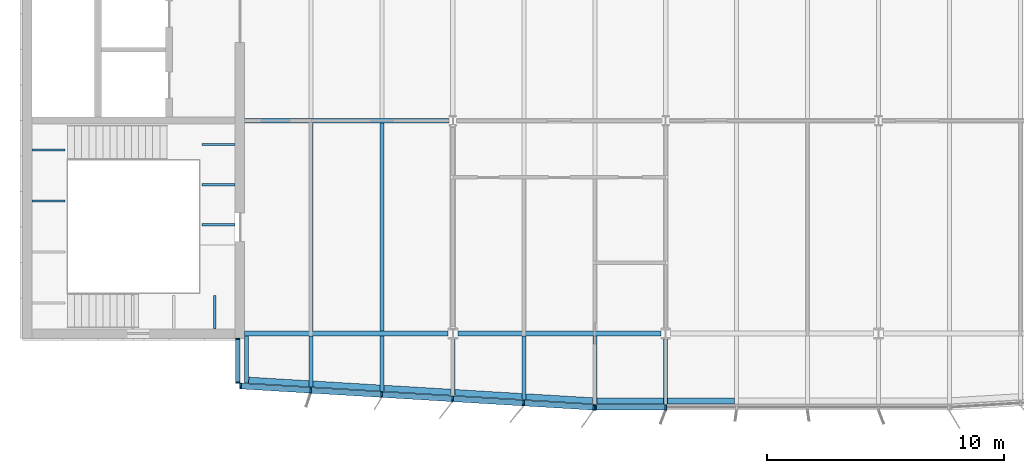
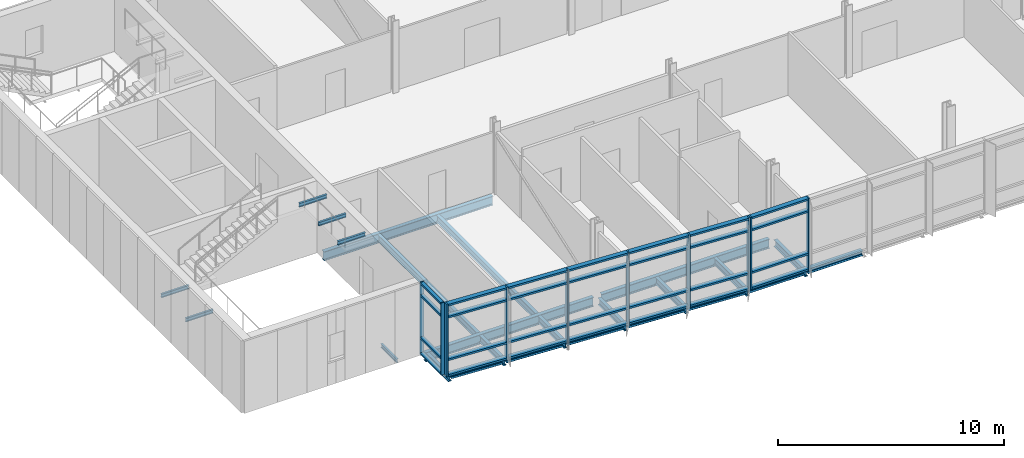
# One storey, part 2 of 18: 38 members, 25 beams, 3 elements without a shape of their own.
"""IFC4 building model written with IfcOpenShell, lengths in metres."""

from ifc_helpers import new_model, si_unit, direction, frame, origin, origin_2d, place, context, subcontext, project, spatial, rectangle, i_section, extrude, material, material_profile, profile_set, type_object, element, aggregate, save


model = new_model("IFC4")

# Units and contexts
model_context = context("Model", 3, precision=1e-05, world=origin(), true_north=direction((0.0, 1.0)))
body_context = subcontext(model_context, "Body", "Model", "MODEL_VIEW")
ifc_project = project(units=[si_unit("LENGTHUNIT", "METRE"), si_unit("AREAUNIT", "SQUARE_METRE"), si_unit("VOLUMEUNIT", "CUBIC_METRE"), si_unit("PLANEANGLEUNIT", "RADIAN"), si_unit("MASSUNIT", "GRAM", prefix="KILO")], contexts=[model_context])

# Site, building, storey
site_placement = place(None, origin())
site = spatial("IfcSite", under=ifc_project, at=site_placement, CompositionType="ELEMENT")
building_placement = place(site_placement, origin())
building = spatial("IfcBuilding", under=site, at=building_placement, Name="Azimuth Sports and Learning Centre", CompositionType="ELEMENT")
storey_placement = place(building_placement, frame((0.0, 0.0, 55.800048828125)))
storey = spatial("IfcBuildingStorey", under=building, at=storey_placement, Name="L12", CompositionType="ELEMENT", Elevation=55.800048828125)

# Beams
ifc_material_1 = material(Name="Steel S355", Category="steel")
ifc_material_profile_1 = material_profile(ifc_material_1, i_section(OverallWidth=0.10009765625, OverallDepth=0.199951171875, WebThickness=0.005615234375, FlangeThickness=0.008544921875, FilletRadius=0.011962890625, at=origin_2d()), Name="IPE 200")
ifc_profile_set_1 = profile_set([ifc_material_profile_1], Name="Steel S355")
beam_type_1 = type_object("IfcBeamType", Name="Beam IPE 200", PredefinedType="BEAM", material=ifc_profile_set_1)
for number, where, z_axis, x_axis, name in (
    (1, (61.9267578125, 90.199951171875, -0.300048828125), (0.0, 1.0, 0.0), (-1.0, 0.0, 0.0), "Landing bracket W1 L12 121"),
    (2, (54.199951171875, 95.603759765625, 1.349853515625), (1.0, 0.0, 0.0), (0.0, 1.0, 0.0), "Landing bracket W1 L12 124"),
    (3, (54.199951171875, 97.76123046875, 1.349853515625), (1.0, 0.0, 0.0), (0.0, 1.0, 0.0), "Landing bracket W1 L12 125"),
    (4, (62.800048828125, 94.598388671875, 3.599853515625), (-1.0, 0.0, 0.0), (0.0, -1.0, 0.0), "Landing bracket W1 L12 126"),
    (5, (62.800048828125, 96.294921875, 3.599853515625), (-1.0, 0.0, 0.0), (0.0, -1.0, 0.0), "Landing bracket W1 L12 127"),
    (6, (62.800048828125, 97.99169921875, 3.599853515625), (-1.0, 0.0, 0.0), (0.0, -1.0, 0.0), "Landing bracket W1 L12 128"),
):
    element("IfcBeam", number, at=place(storey_placement, frame(where, z_axis=z_axis, x_axis=x_axis)), inside=storey, type_object=beam_type_1, Name=name, PredefinedType="BEAM", context=body_context, shape_type="SweptSolid", body=[
        extrude(i_section(OverallWidth=0.10009765625, OverallDepth=0.199951171875, WebThickness=0.005615234375, FlangeThickness=0.008544921875, FilletRadius=0.011962890625, at=origin_2d()), origin(), (0.0, 0.0, 1.0), 1.41015625),
    ])
ifc_material_2 = material(Name="Steel S355", Category="steel")
ifc_material_profile_2 = material_profile(ifc_material_2, i_section(OverallWidth=0.199951171875, OverallDepth=0.5, WebThickness=0.01025390625, FlangeThickness=0.01611328125, FilletRadius=0.02099609375, at=origin_2d()), Name="IPE 500")
ifc_profile_set_2 = profile_set([ifc_material_profile_2], Name="Steel S355")
beam_type_2 = type_object("IfcBeamType", Name="Beam IPE 500", PredefinedType="BEAM", material=ifc_profile_set_2)
beam_1_placement = place(storey_placement, frame((63.199951171875, 90.0, -0.380126953125), z_axis=(1.0, 0.0, 0.0), x_axis=(0.0, 1.0, 0.0)))
element("IfcBeam", 7, at=beam_1_placement, inside=storey, type_object=beam_type_2, Name="Tower girder L12", PredefinedType="BEAM", context=body_context, shape_type="SweptSolid", body=[
    extrude(i_section(OverallWidth=0.199951171875, OverallDepth=0.5, WebThickness=0.01025390625, FlangeThickness=0.01611328125, FilletRadius=0.02099609375, at=origin_2d()), origin(), (0.0, 0.0, 1.0), 8.591064453125),
])
beam_2_placement = place(storey_placement, frame((72.208984375, 90.0, -0.380126953125), z_axis=(1.0, 0.0, 0.0), x_axis=(0.0, 1.0, 0.0)))
element("IfcBeam", 8, at=beam_2_placement, inside=storey, type_object=beam_type_2, Name="Tower girder L12", PredefinedType="BEAM", context=body_context, shape_type="SweptSolid", body=[
    extrude(i_section(OverallWidth=0.199951171875, OverallDepth=0.5, WebThickness=0.01025390625, FlangeThickness=0.01611328125, FilletRadius=0.02099609375, at=origin_2d()), origin(), (0.0, 0.0, 1.0), 8.58203125),
])
beam_3_placement = place(storey_placement, frame((63.199951171875, 99.0, -0.380126953125), z_axis=(1.0, 0.0, 0.0), x_axis=(0.0, 1.0, 0.0)))
element("IfcBeam", 9, at=beam_3_placement, inside=storey, type_object=beam_type_2, Name="Tower girder L12", PredefinedType="BEAM", context=body_context, shape_type="SweptSolid", body=[
    extrude(i_section(OverallWidth=0.199951171875, OverallDepth=0.5, WebThickness=0.01025390625, FlangeThickness=0.01611328125, FilletRadius=0.02099609375, at=origin_2d()), origin(), (0.0, 0.0, 1.0), 8.646484375),
])
ifc_material_3 = material(Name="Steel S355", Category="steel")
ifc_material_profile_3 = material_profile(ifc_material_3, i_section(OverallWidth=0.169921875, OverallDepth=0.360107421875, WebThickness=0.008056640625, FlangeThickness=0.0126953125, FilletRadius=0.01806640625, at=origin_2d()), Name="IPE 360")
ifc_profile_set_3 = profile_set([ifc_material_profile_3], Name="Steel S355")
beam_type_3 = type_object("IfcBeamType", Name="Cantilever stub IPE 360", PredefinedType="JOIST", material=ifc_profile_set_3)
beam_4_placement = place(storey_placement, frame((63.284912109375, 89.89990234375, -0.31005859375), z_axis=(0.0, -1.0, 0.0), x_axis=(1.0, 0.0, 0.0)))
element("IfcBeam", 10, at=beam_4_placement, inside=storey, type_object=beam_type_3, Name="Tower cantilever stub", PredefinedType="JOIST", context=body_context, shape_type="SweptSolid", body=[
    extrude(i_section(OverallWidth=0.169921875, OverallDepth=0.360107421875, WebThickness=0.008056640625, FlangeThickness=0.0126953125, FilletRadius=0.01806640625, at=origin_2d()), origin(), (0.0, 0.0, 1.0), 1.9970703125),
])
beam_5_placement = place(storey_placement, frame((66.0, 89.89990234375, -0.31005859375), z_axis=(0.0, -1.0, 0.0), x_axis=(1.0, 0.0, 0.0)))
element("IfcBeam", 11, at=beam_5_placement, inside=storey, type_object=beam_type_3, Name="Tower cantilever stub", PredefinedType="JOIST", context=body_context, shape_type="SweptSolid", body=[
    extrude(i_section(OverallWidth=0.169921875, OverallDepth=0.360107421875, WebThickness=0.008056640625, FlangeThickness=0.0126953125, FilletRadius=0.01806640625, at=origin_2d()), origin(), (0.0, 0.0, 1.0), 2.159912109375),
])
beam_6_placement = place(storey_placement, frame((69.0, 89.89990234375, -0.31005859375), z_axis=(0.0, -1.0, 0.0), x_axis=(1.0, 0.0, 0.0)))
element("IfcBeam", 12, at=beam_6_placement, inside=storey, type_object=beam_type_3, Name="Tower cantilever stub", PredefinedType="JOIST", context=body_context, shape_type="SweptSolid", body=[
    extrude(i_section(OverallWidth=0.169921875, OverallDepth=0.360107421875, WebThickness=0.008056640625, FlangeThickness=0.0126953125, FilletRadius=0.01806640625, at=origin_2d()), origin(), (0.0, 0.0, 1.0), 2.33984375),
])
beam_7_placement = place(storey_placement, frame((72.0, 89.7724609375, -0.31005859375), z_axis=(0.0, -1.0, 0.0), x_axis=(1.0, 0.0, 0.0)))
element("IfcBeam", 13, at=beam_7_placement, inside=storey, type_object=beam_type_3, Name="Tower cantilever stub", PredefinedType="JOIST", context=body_context, shape_type="SweptSolid", body=[
    extrude(i_section(OverallWidth=0.169921875, OverallDepth=0.360107421875, WebThickness=0.008056640625, FlangeThickness=0.0126953125, FilletRadius=0.01806640625, at=origin_2d()), origin(), (0.0, 0.0, 1.0), 2.392578125),
])
beam_8_placement = place(storey_placement, frame((75.0, 89.89990234375, -0.31005859375), z_axis=(0.0, -1.0, 0.0), x_axis=(1.0, 0.0, 0.0)))
element("IfcBeam", 14, at=beam_8_placement, inside=storey, type_object=beam_type_3, Name="Tower cantilever stub", PredefinedType="JOIST", context=body_context, shape_type="SweptSolid", body=[
    extrude(i_section(OverallWidth=0.169921875, OverallDepth=0.360107421875, WebThickness=0.008056640625, FlangeThickness=0.0126953125, FilletRadius=0.01806640625, at=origin_2d()), origin(), (0.0, 0.0, 1.0), 2.699951171875),
])
beam_9_placement = place(storey_placement, frame((78.0, 89.89990234375, -0.31005859375), z_axis=(0.0, -1.0, 0.0), x_axis=(1.0, 0.0, 0.0)))
element("IfcBeam", 15, at=beam_9_placement, inside=storey, type_object=beam_type_3, Name="Tower cantilever stub", PredefinedType="JOIST", context=body_context, shape_type="SweptSolid", body=[
    extrude(i_section(OverallWidth=0.169921875, OverallDepth=0.360107421875, WebThickness=0.008056640625, FlangeThickness=0.0126953125, FilletRadius=0.01806640625, at=origin_2d()), origin(), (0.0, 0.0, 1.0), 2.8798828125),
])
beam_10_placement = place(storey_placement, frame((81.0, 89.7724609375, -0.31005859375), z_axis=(0.0, -1.0, 0.0), x_axis=(1.0, 0.0, 0.0)))
element("IfcBeam", 16, at=beam_10_placement, inside=storey, type_object=beam_type_3, Name="Tower cantilever stub", PredefinedType="JOIST", context=body_context, shape_type="SweptSolid", body=[
    extrude(i_section(OverallWidth=0.169921875, OverallDepth=0.360107421875, WebThickness=0.008056640625, FlangeThickness=0.0126953125, FilletRadius=0.01806640625, at=origin_2d()), origin(), (0.0, 0.0, 1.0), 2.75244140625),
])
ifc_material_4 = material(Name="Steel S355", Category="steel")
ifc_material_profile_4 = material_profile(ifc_material_4, i_section(OverallWidth=0.260009765625, OverallDepth=0.25, WebThickness=0.007568359375, FlangeThickness=0.012451171875, FilletRadius=0.02392578125, at=origin_2d()), Name="HEA 260")
ifc_profile_set_4 = profile_set([ifc_material_profile_4], Name="Steel S355")
beam_type_4 = type_object("IfcBeamType", Name="Edge beam HEA 260", PredefinedType="SPANDREL", material=ifc_profile_set_4)
beam_11_placement = place(storey_placement, frame((63.3701171875, 88.02783203125, -0.255126953125), z_axis=(0.998201638043, -0.05994572385, 0.0), x_axis=(0.05994572385, 0.998201638043, 0.0)))
element("IfcBeam", 17, at=beam_11_placement, inside=storey, type_object=beam_type_4, Name="Tower edge beam", PredefinedType="SPANDREL", context=body_context, shape_type="SweptSolid", body=[
    extrude(i_section(OverallWidth=0.260009765625, OverallDepth=0.25, WebThickness=0.007568359375, FlangeThickness=0.012451171875, FilletRadius=0.02392578125, at=origin_2d()), origin(), (0.0, 0.0, 1.0), 2.549560546875),
])
for number, where, z_axis, x_axis, name in (
    (18, (66.0849609375, 87.864990234375, -0.255126953125), (0.998202373506, -0.059933475842, 0.0), (0.059933475842, 0.998202373506, 0.0), "Tower edge beam"),
    (19, (69.0849609375, 87.684814453125, -0.255126953125), (0.998207521518, -0.059847673176, 0.0), (0.059847673176, 0.998207521518, 0.0), "Tower edge beam"),
    (20, (72.0849609375, 87.5048828125, -0.255126953125), (0.998207521518, -0.059847673176, 0.0), (0.059847673176, 0.998207521518, 0.0), "Tower edge beam"),
    (21, (75.0849609375, 87.324951171875, -0.255126953125), (0.998202373506, -0.059933475842, 0.0), (0.059933475842, 0.998202373506, 0.0), "Tower edge beam"),
):
    element("IfcBeam", number, at=place(storey_placement, frame(where, z_axis=z_axis, x_axis=x_axis)), inside=storey, type_object=beam_type_4, Name=name, PredefinedType="SPANDREL", context=body_context, shape_type="SweptSolid", body=[
        extrude(i_section(OverallWidth=0.260009765625, OverallDepth=0.25, WebThickness=0.007568359375, FlangeThickness=0.012451171875, FilletRadius=0.02392578125, at=origin_2d()), origin(), (0.0, 0.0, 1.0), 2.835205078125),
    ])
for number, where, z_axis, x_axis, name in (
    (22, (78.0849609375, 87.14990234375, -0.255126953125), (1.0, 0.0, 0.0), (0.0, 1.0, 0.0), "Tower edge beam"),
    (23, (81.0849609375, 87.14990234375, -0.255126953125), (1.0, 0.0, 0.0), (0.0, 1.0, 0.0), "Tower edge beam"),
):
    element("IfcBeam", number, at=place(storey_placement, frame(where, z_axis=z_axis, x_axis=x_axis)), inside=storey, type_object=beam_type_4, Name=name, PredefinedType="SPANDREL", context=body_context, shape_type="SweptSolid", body=[
        extrude(i_section(OverallWidth=0.260009765625, OverallDepth=0.25, WebThickness=0.007568359375, FlangeThickness=0.012451171875, FilletRadius=0.02392578125, at=origin_2d()), origin(), (0.0, 0.0, 1.0), 2.830078125),
    ])
ifc_material_5 = material(Name="Steel S355", Category="steel")
ifc_material_profile_5 = material_profile(ifc_material_5, i_section(OverallWidth=0.169921875, OverallDepth=0.360107421875, WebThickness=0.008056640625, FlangeThickness=0.0126953125, FilletRadius=0.01806640625, at=origin_2d()), Name="IPE 360")
ifc_profile_set_5 = profile_set([ifc_material_profile_5], Name="Steel S355")
beam_type_5 = type_object("IfcBeamType", Name="Joist IPE 360", PredefinedType="JOIST", material=ifc_profile_set_5)
for number, where, z_axis, x_axis, name in (
    (24, (66.0, 90.10009765625, -0.31005859375), (0.0, 1.0, 0.0), (-1.0, 0.0, 0.0), "Tower joist"),
    (25, (69.0, 90.10009765625, -0.31005859375), (0.0, 1.0, 0.0), (-1.0, 0.0, 0.0), "Tower joist"),
):
    element("IfcBeam", number, at=place(storey_placement, frame(where, z_axis=z_axis, x_axis=x_axis)), inside=storey, type_object=beam_type_5, Name=name, PredefinedType="JOIST", context=body_context, shape_type="SweptSolid", body=[
        extrude(i_section(OverallWidth=0.169921875, OverallDepth=0.360107421875, WebThickness=0.008056640625, FlangeThickness=0.0126953125, FilletRadius=0.01806640625, at=origin_2d()), origin(), (0.0, 0.0, 1.0), 8.7998046875),
    ])

# Curtain wall, members
ifc_material_6 = material(Name="Aluminium and glass", Category="aluminium")
curtain_wall_type_1 = type_object("IfcCurtainWallType", Name="Curtain wall tower return 180", PredefinedType="NOTDEFINED", material=ifc_material_6)
curtain_wall_1_placement = place(storey_placement, origin())
curtain_wall_1 = element("IfcCurtainWall", 26, at=curtain_wall_1_placement, inside=storey, type_object=curtain_wall_type_1, Name="Curtain wall CW12-001", PredefinedType="NOTDEFINED")
ifc_material_7 = material(Name="Aluminium", Category="aluminium")
ifc_material_profile_6 = material_profile(ifc_material_7, rectangle(XDim=0.179931640625, YDim=0.06005859375, at=origin_2d()), Name="Mullion 60x180")
ifc_profile_set_6 = profile_set([ifc_material_profile_6], Name="Aluminium")
member_type_1 = type_object("IfcMemberType", Name="Mullion 60x180", PredefinedType="MULLION", material=ifc_profile_set_6)
member_1_placement = place(storey_placement, frame((62.909912109375, 89.77001953125, 0.0), z_axis=(0.0, 0.0, 1.0), x_axis=(1.0, 0.0, 0.0)))
member_1 = element("IfcMember", 27, at=member_1_placement, type_object=member_type_1, Name="CW12-001 mullion 1", PredefinedType="MULLION", context=body_context, shape_type="SweptSolid", body=[
    extrude(rectangle(XDim=0.179931640625, YDim=0.06005859375, at=origin_2d()), origin(), (0.0, 0.0, 1.0), 3.89990234375),
])
member_2_placement = place(storey_placement, frame((62.909912109375, 87.929931640625, 0.0), z_axis=(0.0, 0.0, 1.0), x_axis=(1.0, 0.0, 0.0)))
member_2 = element("IfcMember", 28, at=member_2_placement, type_object=member_type_1, Name="CW12-001 mullion 2", PredefinedType="MULLION", context=body_context, shape_type="SweptSolid", body=[
    extrude(rectangle(XDim=0.179931640625, YDim=0.06005859375, at=origin_2d()), origin(), (0.0, 0.0, 1.0), 3.89990234375),
])

ifc_material_8 = material(Name="Aluminium and glass", Category="aluminium")
curtain_wall_type_2 = type_object("IfcCurtainWallType", Name="Curtain wall tower south 240", PredefinedType="NOTDEFINED", material=ifc_material_8)
curtain_wall_2_placement = place(storey_placement, origin())
curtain_wall_2 = element("IfcCurtainWall", 29, at=curtain_wall_2_placement, inside=storey, type_object=curtain_wall_type_2, Name="Curtain wall CW12-002", PredefinedType="NOTDEFINED")
ifc_material_9 = material(Name="Aluminium", Category="aluminium")
ifc_material_profile_7 = material_profile(ifc_material_9, rectangle(XDim=0.239990234375, YDim=0.070068359375, at=origin_2d()), Name="Mullion 70x240")
ifc_profile_set_7 = profile_set([ifc_material_profile_7], Name="Aluminium")
member_type_2 = type_object("IfcMemberType", Name="Mullion 70x240", PredefinedType="MULLION", material=ifc_profile_set_7)
member_3_placement = place(storey_placement, frame((63.02783203125, 87.778076171875, 0.0), z_axis=(0.0, 0.0, 1.0), x_axis=(0.059891991812, 0.998204863401, 0.0)))
member_3 = element("IfcMember", 30, at=member_3_placement, type_object=member_type_2, Name="CW12-002 mullion 1", PredefinedType="MULLION", context=body_context, shape_type="SweptSolid", body=[
    extrude(rectangle(XDim=0.239990234375, YDim=0.070068359375, at=origin_2d()), origin(), (0.0, 0.0, 1.0), 3.89990234375),
])
member_4_placement = place(storey_placement, frame((65.992919921875, 87.60009765625, 0.0), z_axis=(0.0, 0.0, 1.0), x_axis=(0.059891991812, 0.998204863401, 0.0)))
member_4 = element("IfcMember", 31, at=member_4_placement, type_object=member_type_2, Name="CW12-002 mullion 2", PredefinedType="MULLION", context=body_context, shape_type="SweptSolid", body=[
    extrude(rectangle(XDim=0.239990234375, YDim=0.070068359375, at=origin_2d()), origin(), (0.0, 0.0, 1.0), 3.89990234375),
])
member_5_placement = place(storey_placement, frame((68.992919921875, 87.420166015625, 0.0), z_axis=(0.0, 0.0, 1.0), x_axis=(0.059891991812, 0.998204863401, 0.0)))
member_5 = element("IfcMember", 32, at=member_5_placement, type_object=member_type_2, Name="CW12-002 mullion 3", PredefinedType="MULLION", context=body_context, shape_type="SweptSolid", body=[
    extrude(rectangle(XDim=0.239990234375, YDim=0.070068359375, at=origin_2d()), origin(), (0.0, 0.0, 1.0), 3.89990234375),
])
member_6_placement = place(storey_placement, frame((71.992919921875, 87.240234375, 0.0), z_axis=(0.0, 0.0, 1.0), x_axis=(0.059891991812, 0.998204863401, 0.0)))
member_6 = element("IfcMember", 33, at=member_6_placement, type_object=member_type_2, Name="CW12-002 mullion 4", PredefinedType="MULLION", context=body_context, shape_type="SweptSolid", body=[
    extrude(rectangle(XDim=0.239990234375, YDim=0.070068359375, at=origin_2d()), origin(), (0.0, 0.0, 1.0), 3.89990234375),
])
member_7_placement = place(storey_placement, frame((74.992919921875, 87.060302734375, 0.0), z_axis=(0.0, 0.0, 1.0), x_axis=(0.059891991812, 0.998204863401, 0.0)))
member_7 = element("IfcMember", 34, at=member_7_placement, type_object=member_type_2, Name="CW12-002 mullion 5", PredefinedType="MULLION", context=body_context, shape_type="SweptSolid", body=[
    extrude(rectangle(XDim=0.239990234375, YDim=0.070068359375, at=origin_2d()), origin(), (0.0, 0.0, 1.0), 3.89990234375),
])
member_8_placement = place(storey_placement, frame((77.957763671875, 86.88232421875, 0.0), z_axis=(0.0, 0.0, 1.0), x_axis=(0.059891991812, 0.998204863401, 0.0)))
member_8 = element("IfcMember", 35, at=member_8_placement, type_object=member_type_2, Name="CW12-002 mullion 6", PredefinedType="MULLION", context=body_context, shape_type="SweptSolid", body=[
    extrude(rectangle(XDim=0.239990234375, YDim=0.070068359375, at=origin_2d()), origin(), (0.0, 0.0, 1.0), 3.89990234375),
])

curtain_wall_3_placement = place(storey_placement, origin())
curtain_wall_3 = element("IfcCurtainWall", 36, at=curtain_wall_3_placement, inside=storey, type_object=curtain_wall_type_2, Name="Curtain wall CW12-003", PredefinedType="NOTDEFINED")
member_9_placement = place(storey_placement, frame((78.02783203125, 86.8798828125, 0.0), z_axis=(0.0, 0.0, 1.0), x_axis=(0.0, 1.0, 0.0)))
member_9 = element("IfcMember", 37, at=member_9_placement, type_object=member_type_2, Name="CW12-003 mullion 1", PredefinedType="MULLION", context=body_context, shape_type="SweptSolid", body=[
    extrude(rectangle(XDim=0.239990234375, YDim=0.070068359375, at=origin_2d()), origin(), (0.0, 0.0, 1.0), 3.89990234375),
])
member_10_placement = place(storey_placement, frame((81.0, 86.8798828125, 0.0), z_axis=(0.0, 0.0, 1.0), x_axis=(0.0, 1.0, 0.0)))
member_10 = element("IfcMember", 38, at=member_10_placement, type_object=member_type_2, Name="CW12-003 mullion 2", PredefinedType="MULLION", context=body_context, shape_type="SweptSolid", body=[
    extrude(rectangle(XDim=0.239990234375, YDim=0.070068359375, at=origin_2d()), origin(), (0.0, 0.0, 1.0), 3.89990234375),
])

# Member
ifc_material_10 = material(Name="Aluminium", Category="aluminium")
ifc_material_profile_8 = material_profile(ifc_material_10, rectangle(XDim=0.179931640625, YDim=0.10009765625, at=origin_2d()), Name="Transom 100x180")
ifc_profile_set_8 = profile_set([ifc_material_profile_8], Name="Aluminium")
member_type_3 = type_object("IfcMemberType", Name="Transom 100x180", PredefinedType="USERDEFINED", material=ifc_profile_set_8)
member_11_placement = place(storey_placement, frame((62.909912109375, 89.739990234375, 0.050048828125), z_axis=(0.0, -1.0, 0.0), x_axis=(1.0, 0.0, 0.0)))
member_11 = element("IfcMember", 39, at=member_11_placement, type_object=member_type_3, Name="CW12-001 transom 1.1", ObjectType="TRANSOM", PredefinedType="USERDEFINED", context=body_context, shape_type="SweptSolid", body=[
    extrude(rectangle(XDim=0.179931640625, YDim=0.10009765625, at=origin_2d()), origin(), (0.0, 0.0, 1.0), 1.780029296875),
])

member_12_placement = place(storey_placement, frame((62.909912109375, 89.739990234375, 0.89990234375), z_axis=(0.0, -1.0, 0.0), x_axis=(1.0, 0.0, 0.0)))
member_12 = element("IfcMember", 40, at=member_12_placement, type_object=member_type_3, Name="CW12-001 transom 1.2", ObjectType="TRANSOM", PredefinedType="USERDEFINED", context=body_context, shape_type="SweptSolid", body=[
    extrude(rectangle(XDim=0.179931640625, YDim=0.10009765625, at=origin_2d()), origin(), (0.0, 0.0, 1.0), 1.780029296875),
])

member_13_placement = place(storey_placement, frame((62.909912109375, 89.739990234375, 3.199951171875), z_axis=(0.0, -1.0, 0.0), x_axis=(1.0, 0.0, 0.0)))
member_13 = element("IfcMember", 41, at=member_13_placement, type_object=member_type_3, Name="CW12-001 transom 1.3", ObjectType="TRANSOM", PredefinedType="USERDEFINED", context=body_context, shape_type="SweptSolid", body=[
    extrude(rectangle(XDim=0.179931640625, YDim=0.10009765625, at=origin_2d()), origin(), (0.0, 0.0, 1.0), 1.780029296875),
])

member_14_placement = place(storey_placement, frame((62.909912109375, 89.739990234375, 3.849853515625), z_axis=(0.0, -1.0, 0.0), x_axis=(1.0, 0.0, 0.0)))
member_14 = element("IfcMember", 42, at=member_14_placement, type_object=member_type_3, Name="CW12-001 transom 1.4", ObjectType="TRANSOM", PredefinedType="USERDEFINED", context=body_context, shape_type="SweptSolid", body=[
    extrude(rectangle(XDim=0.179931640625, YDim=0.10009765625, at=origin_2d()), origin(), (0.0, 0.0, 1.0), 1.780029296875),
])

aggregate(curtain_wall_1, [member_1, member_2, member_11, member_12, member_13, member_14])

ifc_material_11 = material(Name="Aluminium", Category="aluminium")
ifc_material_profile_9 = material_profile(ifc_material_11, rectangle(XDim=0.239990234375, YDim=0.10009765625, at=origin_2d()), Name="Transom 100x240")
ifc_profile_set_9 = profile_set([ifc_material_profile_9], Name="Aluminium")
member_type_4 = type_object("IfcMemberType", Name="Transom 100x240", PredefinedType="USERDEFINED", material=ifc_profile_set_9)
member_15_placement = place(storey_placement, frame((63.062744140625, 87.776123046875, 0.050048828125), z_axis=(0.998202227529, -0.059935907067, 0.0), x_axis=(0.059935907067, 0.998202227529, 0.0)))
member_15 = element("IfcMember", 43, at=member_15_placement, type_object=member_type_4, Name="CW12-002 transom 1.1", ObjectType="TRANSOM", PredefinedType="USERDEFINED", context=body_context, shape_type="SweptSolid", body=[
    extrude(rectangle(XDim=0.239990234375, YDim=0.10009765625, at=origin_2d()), origin(), (0.0, 0.0, 1.0), 2.900146484375),
])

member_16_placement = place(storey_placement, frame((63.062744140625, 87.776123046875, 0.89990234375), z_axis=(0.998202227529, -0.059935907067, 0.0), x_axis=(0.059935907067, 0.998202227529, 0.0)))
member_16 = element("IfcMember", 44, at=member_16_placement, type_object=member_type_4, Name="CW12-002 transom 1.2", ObjectType="TRANSOM", PredefinedType="USERDEFINED", context=body_context, shape_type="SweptSolid", body=[
    extrude(rectangle(XDim=0.239990234375, YDim=0.10009765625, at=origin_2d()), origin(), (0.0, 0.0, 1.0), 2.900146484375),
])

member_17_placement = place(storey_placement, frame((63.062744140625, 87.776123046875, 3.199951171875), z_axis=(0.998202227529, -0.059935907067, 0.0), x_axis=(0.059935907067, 0.998202227529, 0.0)))
member_17 = element("IfcMember", 45, at=member_17_placement, type_object=member_type_4, Name="CW12-002 transom 1.3", ObjectType="TRANSOM", PredefinedType="USERDEFINED", context=body_context, shape_type="SweptSolid", body=[
    extrude(rectangle(XDim=0.239990234375, YDim=0.10009765625, at=origin_2d()), origin(), (0.0, 0.0, 1.0), 2.900146484375),
])

member_18_placement = place(storey_placement, frame((63.062744140625, 87.776123046875, 3.849853515625), z_axis=(0.998202227529, -0.059935907067, 0.0), x_axis=(0.059935907067, 0.998202227529, 0.0)))
member_18 = element("IfcMember", 46, at=member_18_placement, type_object=member_type_4, Name="CW12-002 transom 1.4", ObjectType="TRANSOM", PredefinedType="USERDEFINED", context=body_context, shape_type="SweptSolid", body=[
    extrude(rectangle(XDim=0.239990234375, YDim=0.10009765625, at=origin_2d()), origin(), (0.0, 0.0, 1.0), 2.900146484375),
])

member_19_placement = place(storey_placement, frame((66.02783203125, 87.59814453125, 0.050048828125), z_axis=(0.998205143816, -0.059887318019, 0.0), x_axis=(0.059887318019, 0.998205143816, 0.0)))
member_19 = element("IfcMember", 47, at=member_19_placement, type_object=member_type_4, Name="CW12-002 transom 2.1", ObjectType="TRANSOM", PredefinedType="USERDEFINED", context=body_context, shape_type="SweptSolid", body=[
    extrude(rectangle(XDim=0.239990234375, YDim=0.10009765625, at=origin_2d()), origin(), (0.0, 0.0, 1.0), 2.935302734375),
])

member_20_placement = place(storey_placement, frame((66.02783203125, 87.59814453125, 0.89990234375), z_axis=(0.998205143816, -0.059887318019, 0.0), x_axis=(0.059887318019, 0.998205143816, 0.0)))
member_20 = element("IfcMember", 48, at=member_20_placement, type_object=member_type_4, Name="CW12-002 transom 2.2", ObjectType="TRANSOM", PredefinedType="USERDEFINED", context=body_context, shape_type="SweptSolid", body=[
    extrude(rectangle(XDim=0.239990234375, YDim=0.10009765625, at=origin_2d()), origin(), (0.0, 0.0, 1.0), 2.935302734375),
])

member_21_placement = place(storey_placement, frame((66.02783203125, 87.59814453125, 3.199951171875), z_axis=(0.998205143816, -0.059887318019, 0.0), x_axis=(0.059887318019, 0.998205143816, 0.0)))
member_21 = element("IfcMember", 49, at=member_21_placement, type_object=member_type_4, Name="CW12-002 transom 2.3", ObjectType="TRANSOM", PredefinedType="USERDEFINED", context=body_context, shape_type="SweptSolid", body=[
    extrude(rectangle(XDim=0.239990234375, YDim=0.10009765625, at=origin_2d()), origin(), (0.0, 0.0, 1.0), 2.935302734375),
])

member_22_placement = place(storey_placement, frame((66.02783203125, 87.59814453125, 3.849853515625), z_axis=(0.998205143816, -0.059887318019, 0.0), x_axis=(0.059887318019, 0.998205143816, 0.0)))
member_22 = element("IfcMember", 50, at=member_22_placement, type_object=member_type_4, Name="CW12-002 transom 2.4", ObjectType="TRANSOM", PredefinedType="USERDEFINED", context=body_context, shape_type="SweptSolid", body=[
    extrude(rectangle(XDim=0.239990234375, YDim=0.10009765625, at=origin_2d()), origin(), (0.0, 0.0, 1.0), 2.935302734375),
])

member_23_placement = place(storey_placement, frame((69.02783203125, 87.418212890625, 0.050048828125), z_axis=(0.998205143816, -0.059887318019, 0.0), x_axis=(0.059887318019, 0.998205143816, 0.0)))
member_23 = element("IfcMember", 51, at=member_23_placement, type_object=member_type_4, Name="CW12-002 transom 3.1", ObjectType="TRANSOM", PredefinedType="USERDEFINED", context=body_context, shape_type="SweptSolid", body=[
    extrude(rectangle(XDim=0.239990234375, YDim=0.10009765625, at=origin_2d()), origin(), (0.0, 0.0, 1.0), 2.935302734375),
])

member_24_placement = place(storey_placement, frame((69.02783203125, 87.418212890625, 0.89990234375), z_axis=(0.998205143816, -0.059887318019, 0.0), x_axis=(0.059887318019, 0.998205143816, 0.0)))
member_24 = element("IfcMember", 52, at=member_24_placement, type_object=member_type_4, Name="CW12-002 transom 3.2", ObjectType="TRANSOM", PredefinedType="USERDEFINED", context=body_context, shape_type="SweptSolid", body=[
    extrude(rectangle(XDim=0.239990234375, YDim=0.10009765625, at=origin_2d()), origin(), (0.0, 0.0, 1.0), 2.935302734375),
])

member_25_placement = place(storey_placement, frame((69.02783203125, 87.418212890625, 3.199951171875), z_axis=(0.998205143816, -0.059887318019, 0.0), x_axis=(0.059887318019, 0.998205143816, 0.0)))
member_25 = element("IfcMember", 53, at=member_25_placement, type_object=member_type_4, Name="CW12-002 transom 3.3", ObjectType="TRANSOM", PredefinedType="USERDEFINED", context=body_context, shape_type="SweptSolid", body=[
    extrude(rectangle(XDim=0.239990234375, YDim=0.10009765625, at=origin_2d()), origin(), (0.0, 0.0, 1.0), 2.935302734375),
])

member_26_placement = place(storey_placement, frame((69.02783203125, 87.418212890625, 3.849853515625), z_axis=(0.998205143816, -0.059887318019, 0.0), x_axis=(0.059887318019, 0.998205143816, 0.0)))
member_26 = element("IfcMember", 54, at=member_26_placement, type_object=member_type_4, Name="CW12-002 transom 3.4", ObjectType="TRANSOM", PredefinedType="USERDEFINED", context=body_context, shape_type="SweptSolid", body=[
    extrude(rectangle(XDim=0.239990234375, YDim=0.10009765625, at=origin_2d()), origin(), (0.0, 0.0, 1.0), 2.935302734375),
])

member_27_placement = place(storey_placement, frame((72.02783203125, 87.238037109375, 0.050048828125), z_axis=(0.998205143816, -0.059887318019, 0.0), x_axis=(0.059887318019, 0.998205143816, 0.0)))
member_27 = element("IfcMember", 55, at=member_27_placement, type_object=member_type_4, Name="CW12-002 transom 4.1", ObjectType="TRANSOM", PredefinedType="USERDEFINED", context=body_context, shape_type="SweptSolid", body=[
    extrude(rectangle(XDim=0.239990234375, YDim=0.10009765625, at=origin_2d()), origin(), (0.0, 0.0, 1.0), 2.935302734375),
])

member_28_placement = place(storey_placement, frame((72.02783203125, 87.238037109375, 0.89990234375), z_axis=(0.998205143816, -0.059887318019, 0.0), x_axis=(0.059887318019, 0.998205143816, 0.0)))
member_28 = element("IfcMember", 56, at=member_28_placement, type_object=member_type_4, Name="CW12-002 transom 4.2", ObjectType="TRANSOM", PredefinedType="USERDEFINED", context=body_context, shape_type="SweptSolid", body=[
    extrude(rectangle(XDim=0.239990234375, YDim=0.10009765625, at=origin_2d()), origin(), (0.0, 0.0, 1.0), 2.935302734375),
])

member_29_placement = place(storey_placement, frame((72.02783203125, 87.238037109375, 3.199951171875), z_axis=(0.998205143816, -0.059887318019, 0.0), x_axis=(0.059887318019, 0.998205143816, 0.0)))
member_29 = element("IfcMember", 57, at=member_29_placement, type_object=member_type_4, Name="CW12-002 transom 4.3", ObjectType="TRANSOM", PredefinedType="USERDEFINED", context=body_context, shape_type="SweptSolid", body=[
    extrude(rectangle(XDim=0.239990234375, YDim=0.10009765625, at=origin_2d()), origin(), (0.0, 0.0, 1.0), 2.935302734375),
])

member_30_placement = place(storey_placement, frame((72.02783203125, 87.238037109375, 3.849853515625), z_axis=(0.998205143816, -0.059887318019, 0.0), x_axis=(0.059887318019, 0.998205143816, 0.0)))
member_30 = element("IfcMember", 58, at=member_30_placement, type_object=member_type_4, Name="CW12-002 transom 4.4", ObjectType="TRANSOM", PredefinedType="USERDEFINED", context=body_context, shape_type="SweptSolid", body=[
    extrude(rectangle(XDim=0.239990234375, YDim=0.10009765625, at=origin_2d()), origin(), (0.0, 0.0, 1.0), 2.935302734375),
])

member_31_placement = place(storey_placement, frame((75.02783203125, 87.05810546875, 0.050048828125), z_axis=(0.998207260343, -0.059852029187, 0.0), x_axis=(0.059852029187, 0.998207260343, 0.0)))
member_31 = element("IfcMember", 59, at=member_31_placement, type_object=member_type_4, Name="CW12-002 transom 5.1", ObjectType="TRANSOM", PredefinedType="USERDEFINED", context=body_context, shape_type="SweptSolid", body=[
    extrude(rectangle(XDim=0.239990234375, YDim=0.10009765625, at=origin_2d()), origin(), (0.0, 0.0, 1.0), 2.900146484375),
])

member_32_placement = place(storey_placement, frame((75.02783203125, 87.05810546875, 0.89990234375), z_axis=(0.998207260343, -0.059852029187, 0.0), x_axis=(0.059852029187, 0.998207260343, 0.0)))
member_32 = element("IfcMember", 60, at=member_32_placement, type_object=member_type_4, Name="CW12-002 transom 5.2", ObjectType="TRANSOM", PredefinedType="USERDEFINED", context=body_context, shape_type="SweptSolid", body=[
    extrude(rectangle(XDim=0.239990234375, YDim=0.10009765625, at=origin_2d()), origin(), (0.0, 0.0, 1.0), 2.900146484375),
])

member_33_placement = place(storey_placement, frame((75.02783203125, 87.05810546875, 3.199951171875), z_axis=(0.998207260343, -0.059852029187, 0.0), x_axis=(0.059852029187, 0.998207260343, 0.0)))
member_33 = element("IfcMember", 61, at=member_33_placement, type_object=member_type_4, Name="CW12-002 transom 5.3", ObjectType="TRANSOM", PredefinedType="USERDEFINED", context=body_context, shape_type="SweptSolid", body=[
    extrude(rectangle(XDim=0.239990234375, YDim=0.10009765625, at=origin_2d()), origin(), (0.0, 0.0, 1.0), 2.900146484375),
])

member_34_placement = place(storey_placement, frame((75.02783203125, 87.05810546875, 3.849853515625), z_axis=(0.998207260343, -0.059852029187, 0.0), x_axis=(0.059852029187, 0.998207260343, 0.0)))
member_34 = element("IfcMember", 62, at=member_34_placement, type_object=member_type_4, Name="CW12-002 transom 5.4", ObjectType="TRANSOM", PredefinedType="USERDEFINED", context=body_context, shape_type="SweptSolid", body=[
    extrude(rectangle(XDim=0.239990234375, YDim=0.10009765625, at=origin_2d()), origin(), (0.0, 0.0, 1.0), 2.900146484375),
])

aggregate(curtain_wall_2, [member_3, member_4, member_5, member_6, member_7, member_8, member_15, member_16, member_17, member_18, member_19, member_20, member_21, member_22, member_23, member_24, member_25, member_26, member_27, member_28, member_29, member_30, member_31, member_32, member_33, member_34])

member_35_placement = place(storey_placement, frame((78.062744140625, 86.8798828125, 0.050048828125), z_axis=(1.0, 0.0, 0.0), x_axis=(0.0, 1.0, 0.0)))
member_35 = element("IfcMember", 63, at=member_35_placement, type_object=member_type_4, Name="CW12-003 transom 1.1", ObjectType="TRANSOM", PredefinedType="USERDEFINED", context=body_context, shape_type="SweptSolid", body=[
    extrude(rectangle(XDim=0.239990234375, YDim=0.10009765625, at=origin_2d()), origin(), (0.0, 0.0, 1.0), 2.90234375),
])

member_36_placement = place(storey_placement, frame((78.062744140625, 86.8798828125, 0.89990234375), z_axis=(1.0, 0.0, 0.0), x_axis=(0.0, 1.0, 0.0)))
member_36 = element("IfcMember", 64, at=member_36_placement, type_object=member_type_4, Name="CW12-003 transom 1.2", ObjectType="TRANSOM", PredefinedType="USERDEFINED", context=body_context, shape_type="SweptSolid", body=[
    extrude(rectangle(XDim=0.239990234375, YDim=0.10009765625, at=origin_2d()), origin(), (0.0, 0.0, 1.0), 2.90234375),
])

member_37_placement = place(storey_placement, frame((78.062744140625, 86.8798828125, 3.199951171875), z_axis=(1.0, 0.0, 0.0), x_axis=(0.0, 1.0, 0.0)))
member_37 = element("IfcMember", 65, at=member_37_placement, type_object=member_type_4, Name="CW12-003 transom 1.3", ObjectType="TRANSOM", PredefinedType="USERDEFINED", context=body_context, shape_type="SweptSolid", body=[
    extrude(rectangle(XDim=0.239990234375, YDim=0.10009765625, at=origin_2d()), origin(), (0.0, 0.0, 1.0), 2.90234375),
])

member_38_placement = place(storey_placement, frame((78.062744140625, 86.8798828125, 3.849853515625), z_axis=(1.0, 0.0, 0.0), x_axis=(0.0, 1.0, 0.0)))
member_38 = element("IfcMember", 66, at=member_38_placement, type_object=member_type_4, Name="CW12-003 transom 1.4", ObjectType="TRANSOM", PredefinedType="USERDEFINED", context=body_context, shape_type="SweptSolid", body=[
    extrude(rectangle(XDim=0.239990234375, YDim=0.10009765625, at=origin_2d()), origin(), (0.0, 0.0, 1.0), 2.90234375),
])

aggregate(curtain_wall_3, [member_9, member_10, member_35, member_36, member_37, member_38])

save(model, "model.ifc")
